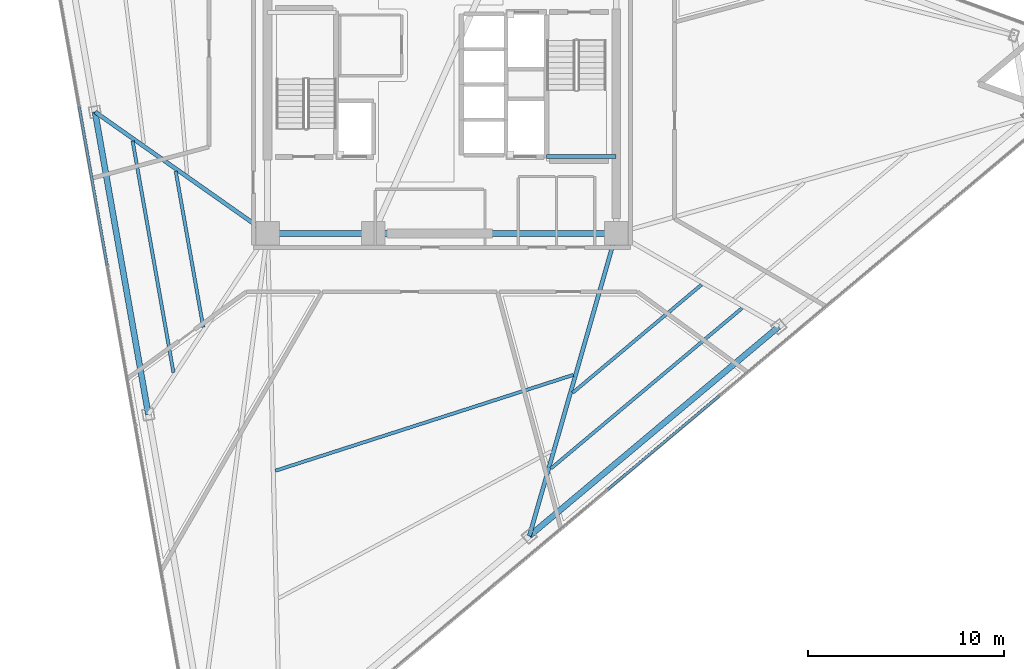
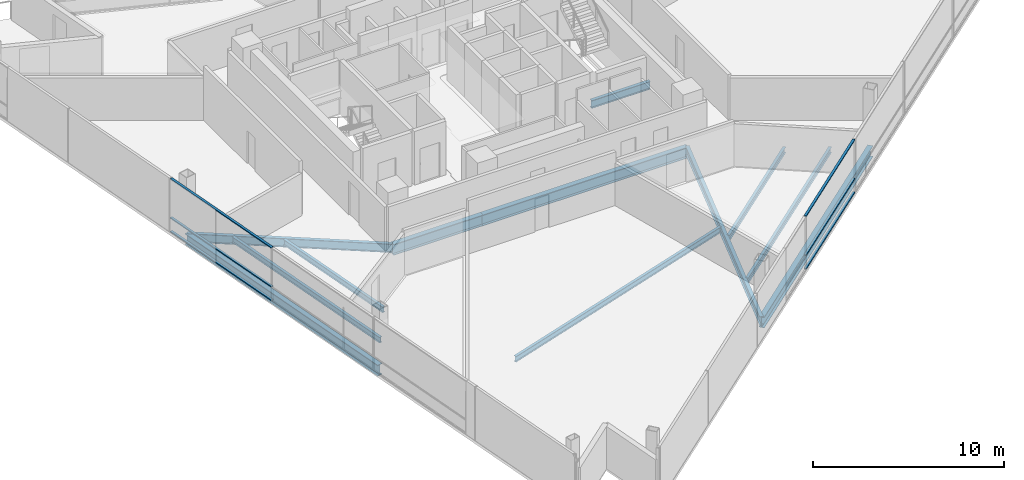
# One storey, part 3 of 15: 12 beams, 6 members, 2 elements without a shape of their own.
"""IFC4 building model written with IfcOpenShell, lengths in metres."""

from ifc_helpers import new_model, si_unit, direction, frame, origin, origin_2d, place, context, subcontext, project, spatial, rectangle, i_section, extrude, material, layer, layer_set, material_profile, profile_set, type_object, element, aggregate, save


model = new_model("IFC4")

# Units and contexts
model_context = context("Model", 3, precision=1e-05, world=origin(), true_north=direction((0.0, 1.0)))
body_context = subcontext(model_context, "Body", "Model", "MODEL_VIEW")
ifc_project = project(units=[si_unit("LENGTHUNIT", "METRE"), si_unit("AREAUNIT", "SQUARE_METRE"), si_unit("VOLUMEUNIT", "CUBIC_METRE"), si_unit("PLANEANGLEUNIT", "RADIAN"), si_unit("MASSUNIT", "GRAM", prefix="KILO")], contexts=[model_context])

# Site, building, storey
site_placement = place(None, origin())
site = spatial("IfcSite", under=ifc_project, at=site_placement, CompositionType="ELEMENT")
building_placement = place(site_placement, origin())
building = spatial("IfcBuilding", under=site, at=building_placement, Name="Tharavind Bronze Gate", CompositionType="ELEMENT")
storey_placement = place(building_placement, frame((0.0, 0.0, 177.699951171875)))
storey = spatial("IfcBuildingStorey", under=building, at=storey_placement, Name="L45", CompositionType="ELEMENT", Elevation=177.699951171875)

# Curtain wall, members
ifc_material_1 = material(Name="Anodised Bronze Aluminium", Category="aluminium")
ifc_layer = layer(ifc_material_1, 0.219970703125)
ifc_layer_set = layer_set([ifc_layer], Name="Anodised Bronze Aluminium")
curtain_wall_type = type_object("IfcCurtainWallType", Name="UNITISED CURTAIN WALL MID OFFICE", PredefinedType="USERDEFINED", material=ifc_layer_set)
curtain_wall_1_placement = place(storey_placement, origin())
curtain_wall_1 = element("IfcCurtainWall", 1, at=curtain_wall_1_placement, inside=storey, type_object=curtain_wall_type, Name="L45 unitised curtain wall mid office CW-L45-S1", ObjectType="UNITISED CURTAIN WALL", PredefinedType="USERDEFINED")
member_type = type_object("IfcMemberType", Name="CURTAIN WALL BRONZE TRANSOM 65X140", PredefinedType="USERDEFINED", material=ifc_material_1)
member_1_placement = place(storey_placement, frame((-17.80517578125, -5.177001953125, 0.0), z_axis=(0.0, 0.0, 1.0), x_axis=(0.173648177667, -0.984807753012, 0.0)))
member_1 = element("IfcMember", 2, at=member_1_placement, type_object=member_type, Name="CW-L45-S1 transom TB3", ObjectType="TRANSOM", PredefinedType="USERDEFINED", context=body_context, shape_type="SweptSolid", body=[
    extrude(rectangle(XDim=8.220458984375, YDim=0.139892578125, at=origin_2d()), origin(), (0.0, 0.0, 1.0), 0.06494140625),
])
member_2_placement = place(storey_placement, frame((-17.80517578125, -5.177001953125, 0.86767578125), z_axis=(0.0, 0.0, 1.0), x_axis=(0.173648177667, -0.984807753012, 0.0)))
member_2 = element("IfcMember", 3, at=member_2_placement, type_object=member_type, Name="CW-L45-S1 transom TS3", ObjectType="TRANSOM", PredefinedType="USERDEFINED", context=body_context, shape_type="SweptSolid", body=[
    extrude(rectangle(XDim=8.220458984375, YDim=0.139892578125, at=origin_2d()), origin(), (0.0, 0.0, 1.0), 0.06494140625),
])
member_3_placement = place(storey_placement, frame((-17.80517578125, -5.177001953125, 3.35498046875), z_axis=(0.0, 0.0, 1.0), x_axis=(0.173648177667, -0.984807753012, 0.0)))
member_3 = element("IfcMember", 4, at=member_3_placement, type_object=member_type, Name="CW-L45-S1 transom TT3", ObjectType="TRANSOM", PredefinedType="USERDEFINED", context=body_context, shape_type="SweptSolid", body=[
    extrude(rectangle(XDim=8.220458984375, YDim=0.139892578125, at=origin_2d()), origin(), (0.0, 0.0, 1.0), 0.06494140625),
])
aggregate(curtain_wall_1, [member_1, member_2, member_3])

curtain_wall_2_placement = place(storey_placement, origin())
curtain_wall_2 = element("IfcCurtainWall", 5, at=curtain_wall_2_placement, inside=storey, type_object=curtain_wall_type, Name="L45 unitised curtain wall mid office CW-L45-S2", ObjectType="UNITISED CURTAIN WALL", PredefinedType="USERDEFINED")
member_4_placement = place(storey_placement, frame((11.31298828125, -18.282470703125, 0.0), z_axis=(0.0, 0.0, 1.0), x_axis=(0.766043321242, 0.642788946685, 0.0)))
member_4 = element("IfcMember", 6, at=member_4_placement, type_object=member_type, Name="CW-L45-S2 transom TB4", ObjectType="TRANSOM", PredefinedType="USERDEFINED", context=body_context, shape_type="SweptSolid", body=[
    extrude(rectangle(XDim=7.443115234375, YDim=0.139892578125, at=origin_2d()), origin(), (0.0, 0.0, 1.0), 0.06494140625),
])
member_5_placement = place(storey_placement, frame((11.31298828125, -18.282470703125, 0.86767578125), z_axis=(0.0, 0.0, 1.0), x_axis=(0.766043321242, 0.642788946685, 0.0)))
member_5 = element("IfcMember", 7, at=member_5_placement, type_object=member_type, Name="CW-L45-S2 transom TS4", ObjectType="TRANSOM", PredefinedType="USERDEFINED", context=body_context, shape_type="SweptSolid", body=[
    extrude(rectangle(XDim=7.443115234375, YDim=0.139892578125, at=origin_2d()), origin(), (0.0, 0.0, 1.0), 0.06494140625),
])
member_6_placement = place(storey_placement, frame((11.31298828125, -18.282470703125, 3.35498046875), z_axis=(0.0, 0.0, 1.0), x_axis=(0.766043321242, 0.642788946685, 0.0)))
member_6 = element("IfcMember", 8, at=member_6_placement, type_object=member_type, Name="CW-L45-S2 transom TT4", ObjectType="TRANSOM", PredefinedType="USERDEFINED", context=body_context, shape_type="SweptSolid", body=[
    extrude(rectangle(XDim=7.443115234375, YDim=0.139892578125, at=origin_2d()), origin(), (0.0, 0.0, 1.0), 0.06494140625),
])
aggregate(curtain_wall_2, [member_4, member_5, member_6])

# Beams
ifc_material_2 = material(Name="Steel S355", Category="steel")
ifc_material_profile_1 = material_profile(ifc_material_2, i_section(OverallWidth=0.199951171875, OverallDepth=0.5, WebThickness=0.01025390625, FlangeThickness=0.01611328125, at=origin_2d()), Name="IPE500")
ifc_profile_set_1 = profile_set([ifc_material_profile_1], Name="Steel S355")
beam_type_1 = type_object("IfcBeamType", Name="PRIMARY GIRDER IPE500", PredefinedType="USERDEFINED", material=ifc_profile_set_1)
beam_1_placement = place(storey_placement, frame((5.35009765625, -3.679931640625, 1.35009765625), z_axis=(1.0, 0.0, 0.0), x_axis=(0.0, 1.0, 0.0)))
element("IfcBeam", 9, at=beam_1_placement, inside=storey, type_object=beam_type_1, Name="L45 primary girder ipe500 BM-LD-ST2-L45-1", ObjectType="GIRDER", PredefinedType="USERDEFINED", context=body_context, shape_type="SweptSolid", body=[
    extrude(i_section(OverallWidth=0.199951171875, OverallDepth=0.5, WebThickness=0.01025390625, FlangeThickness=0.01611328125, at=origin_2d()), origin(), (0.0, 0.0, 1.0), 3.5498046875),
])
ifc_material_profile_2 = material_profile(ifc_material_2, i_section(OverallWidth=0.2099609375, OverallDepth=0.550048828125, WebThickness=0.010986328125, FlangeThickness=0.01708984375, at=origin_2d()), Name="IPE550")
ifc_profile_set_2 = profile_set([ifc_material_profile_2], Name="Steel S355")
beam_type_2 = type_object("IfcBeamType", Name="PRIMARY GIRDER IPE550", PredefinedType="USERDEFINED", material=ifc_profile_set_2)
beam_2_placement = place(storey_placement, frame((-17.709716796875, -1.3994140625, -0.454833984375), z_axis=(0.817754667857, -0.575566940675, 0.0), x_axis=(0.575566940675, 0.817754667857, 0.0)))
element("IfcBeam", 10, at=beam_2_placement, inside=storey, type_object=beam_type_2, Name="L45 primary girder ipe550 BM-L45-RAD02", ObjectType="GIRDER", PredefinedType="USERDEFINED", context=body_context, shape_type="SweptSolid", body=[
    extrude(i_section(OverallWidth=0.2099609375, OverallDepth=0.550048828125, WebThickness=0.010986328125, FlangeThickness=0.01708984375, at=origin_2d()), origin(), (0.0, 0.0, 1.0), 10.773193359375),
])
beam_3_placement = place(storey_placement, frame((4.46337890625, -23.05078125, -0.454833984375), z_axis=(0.275988621834, 0.961160902564, 0.0), x_axis=(-0.961160902564, 0.275988621834, 0.0)))
element("IfcBeam", 11, at=beam_3_placement, inside=storey, type_object=beam_type_2, Name="L45 primary girder ipe550 BM-L45-RAD06", ObjectType="GIRDER", PredefinedType="USERDEFINED", context=body_context, shape_type="SweptSolid", body=[
    extrude(i_section(OverallWidth=0.2099609375, OverallDepth=0.550048828125, WebThickness=0.010986328125, FlangeThickness=0.01708984375, at=origin_2d()), origin(), (0.0, 0.0, 1.0), 16.074951171875),
])
ifc_material_profile_3 = material_profile(ifc_material_2, i_section(OverallWidth=0.300048828125, OverallDepth=0.699951171875, WebThickness=0.01708984375, FlangeThickness=0.031982421875, at=origin_2d()), Name="HE700B")
ifc_profile_set_3 = profile_set([ifc_material_profile_3], Name="Steel S355")
beam_type_3 = type_object("IfcBeamType", Name="RING GIRDER HE700B", PredefinedType="USERDEFINED", material=ifc_profile_set_3)
beam_4_placement = place(storey_placement, frame((-8.89990234375, -7.60009765625, -0.530029296875), z_axis=(1.0, 0.0, 0.0), x_axis=(0.0, 1.0, 0.0)))
element("IfcBeam", 12, at=beam_4_placement, inside=storey, type_object=beam_type_3, Name="L45 ring girder he700b BM-L45-CR1", ObjectType="GIRDER", PredefinedType="USERDEFINED", context=body_context, shape_type="SweptSolid", body=[
    extrude(i_section(OverallWidth=0.300048828125, OverallDepth=0.699951171875, WebThickness=0.01708984375, FlangeThickness=0.031982421875, at=origin_2d()), origin(), (0.0, 0.0, 1.0), 5.39990234375),
])
beam_5_placement = place(storey_placement, frame((-3.5, -7.60009765625, -0.530029296875), z_axis=(1.0, 0.0, 0.0), x_axis=(0.0, 1.0, 0.0)))
element("IfcBeam", 13, at=beam_5_placement, inside=storey, type_object=beam_type_3, Name="L45 ring girder he700b BM-L45-CR2", ObjectType="GIRDER", PredefinedType="USERDEFINED", context=body_context, shape_type="SweptSolid", body=[
    extrude(i_section(OverallWidth=0.300048828125, OverallDepth=0.699951171875, WebThickness=0.01708984375, FlangeThickness=0.031982421875, at=origin_2d()), origin(), (0.0, 0.0, 1.0), 12.39990234375),
])
beam_6_placement = place(storey_placement, frame((-17.709716796875, -1.3994140625, -0.530029296875), z_axis=(0.173647661488, -0.984807844028, 0.0), x_axis=(0.984807844028, 0.173647661488, 0.0)))
element("IfcBeam", 14, at=beam_6_placement, inside=storey, type_object=beam_type_3, Name="L45 ring girder he700b BM-L45-PRG02", ObjectType="GIRDER", PredefinedType="USERDEFINED", context=body_context, shape_type="SweptSolid", body=[
    extrude(i_section(OverallWidth=0.300048828125, OverallDepth=0.699951171875, WebThickness=0.01708984375, FlangeThickness=0.031982421875, at=origin_2d()), origin(), (0.0, 0.0, 1.0), 15.6806640625),
])
beam_7_placement = place(storey_placement, frame((4.46337890625, -23.05078125, -0.530029296875), z_axis=(0.766044110924, 0.642788005581, 0.0), x_axis=(-0.642788005581, 0.766044110924, 0.0)))
element("IfcBeam", 15, at=beam_7_placement, inside=storey, type_object=beam_type_3, Name="L45 ring girder he700b BM-L45-PRG06", ObjectType="GIRDER", PredefinedType="USERDEFINED", context=body_context, shape_type="SweptSolid", body=[
    extrude(i_section(OverallWidth=0.300048828125, OverallDepth=0.699951171875, WebThickness=0.01708984375, FlangeThickness=0.031982421875, at=origin_2d()), origin(), (0.0, 0.0, 1.0), 16.62451171875),
])
ifc_material_profile_4 = material_profile(ifc_material_2, i_section(OverallWidth=0.169921875, OverallDepth=0.360107421875, WebThickness=0.008056640625, FlangeThickness=0.0126953125, at=origin_2d()), Name="IPE360")
ifc_profile_set_4 = profile_set([ifc_material_profile_4], Name="Steel S355")
beam_type_4 = type_object("IfcBeamType", Name="SECONDARY FLOOR JOIST IPE360", PredefinedType="JOIST", material=ifc_profile_set_4)
beam_8_placement = place(storey_placement, frame((-13.586669921875, -4.43310546875, -0.35986328125), z_axis=(0.173657771601, -0.984806061295, 0.0), x_axis=(0.984806061295, 0.173657771601, 0.0)))
element("IfcBeam", 16, at=beam_8_placement, inside=storey, type_object=beam_type_4, Name="L45 secondary floor joist ipe360 BM-L45-JSTA02", PredefinedType="JOIST", context=body_context, shape_type="SweptSolid", body=[
    extrude(i_section(OverallWidth=0.169921875, OverallDepth=0.360107421875, WebThickness=0.008056640625, FlangeThickness=0.0126953125, at=origin_2d()), origin(), (0.0, 0.0, 1.0), 8.07958984375),
])
beam_9_placement = place(storey_placement, frame((-15.7890625, -2.883056640625, -0.35986328125), z_axis=(0.173653015137, -0.984806900023, 0.0), x_axis=(0.984806900023, 0.173653015137, 0.0)))
element("IfcBeam", 17, at=beam_9_placement, inside=storey, type_object=beam_type_4, Name="L45 secondary floor joist ipe360 BM-L45-JSTB02", PredefinedType="JOIST", context=body_context, shape_type="SweptSolid", body=[
    extrude(i_section(OverallWidth=0.169921875, OverallDepth=0.360107421875, WebThickness=0.008056640625, FlangeThickness=0.0126953125, at=origin_2d()), origin(), (0.0, 0.0, 1.0), 11.99951171875),
])
beam_10_placement = place(storey_placement, frame((-8.5, -19.718994140625, -0.35986328125), z_axis=(0.951947780182, 0.306260385629, 0.0), x_axis=(-0.306260385629, 0.951947780182, 0.0)))
element("IfcBeam", 18, at=beam_10_placement, inside=storey, type_object=beam_type_4, Name="L45 secondary floor joist ipe360 BM-L45-JSTA05", PredefinedType="JOIST", context=body_context, shape_type="SweptSolid", body=[
    extrude(i_section(OverallWidth=0.169921875, OverallDepth=0.360107421875, WebThickness=0.008056640625, FlangeThickness=0.0126953125, at=origin_2d()), origin(), (0.0, 0.0, 1.0), 15.980712890625),
])
beam_11_placement = place(storey_placement, frame((6.67333984375, -15.742919921875, -0.35986328125), z_axis=(0.766044754816, 0.64278723822, 0.0), x_axis=(-0.64278723822, 0.766044754816, 0.0)))
element("IfcBeam", 19, at=beam_11_placement, inside=storey, type_object=beam_type_4, Name="L45 secondary floor joist ipe360 BM-L45-JSTA06", PredefinedType="JOIST", context=body_context, shape_type="SweptSolid", body=[
    extrude(i_section(OverallWidth=0.169921875, OverallDepth=0.360107421875, WebThickness=0.008056640625, FlangeThickness=0.0126953125, at=origin_2d()), origin(), (0.0, 0.0, 1.0), 8.58642578125),
])
beam_12_placement = place(storey_placement, frame((5.564208984375, -19.605712890625, -0.35986328125), z_axis=(0.766041806797, 0.64279075152, 0.0), x_axis=(-0.64279075152, 0.766041806797, 0.0)))
element("IfcBeam", 20, at=beam_12_placement, inside=storey, type_object=beam_type_4, Name="L45 secondary floor joist ipe360 BM-L45-JSTB06", PredefinedType="JOIST", context=body_context, shape_type="SweptSolid", body=[
    extrude(i_section(OverallWidth=0.169921875, OverallDepth=0.360107421875, WebThickness=0.008056640625, FlangeThickness=0.0126953125, at=origin_2d()), origin(), (0.0, 0.0, 1.0), 12.74267578125),
])

save(model, "model.ifc")
